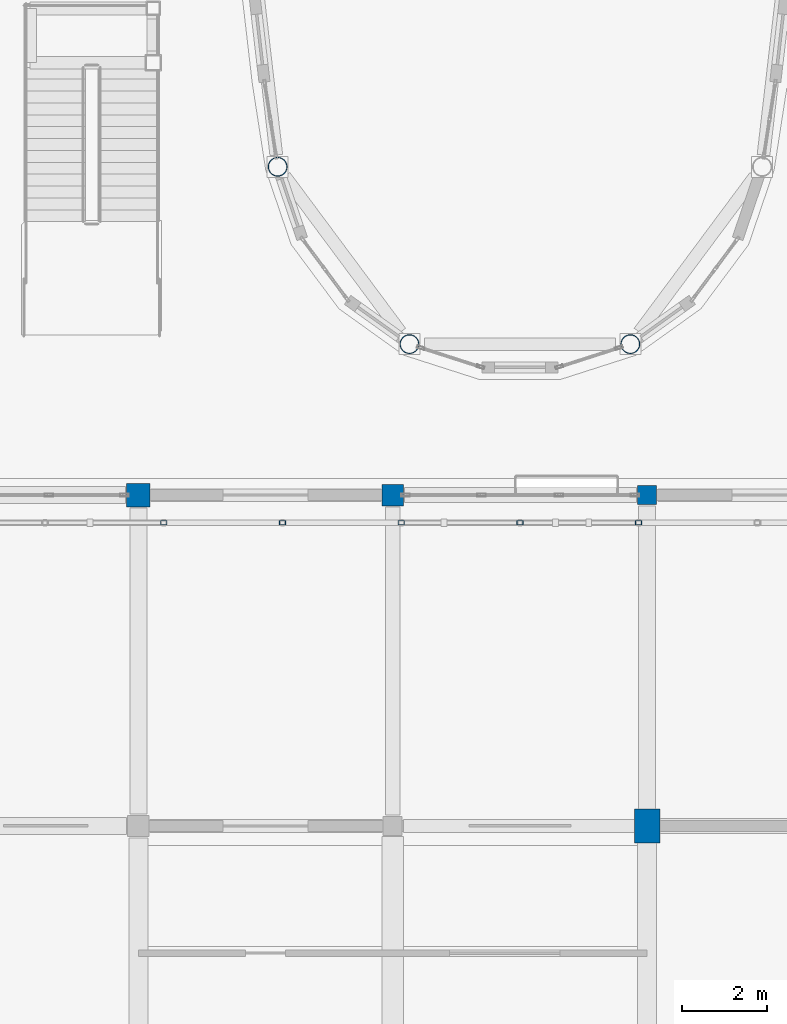
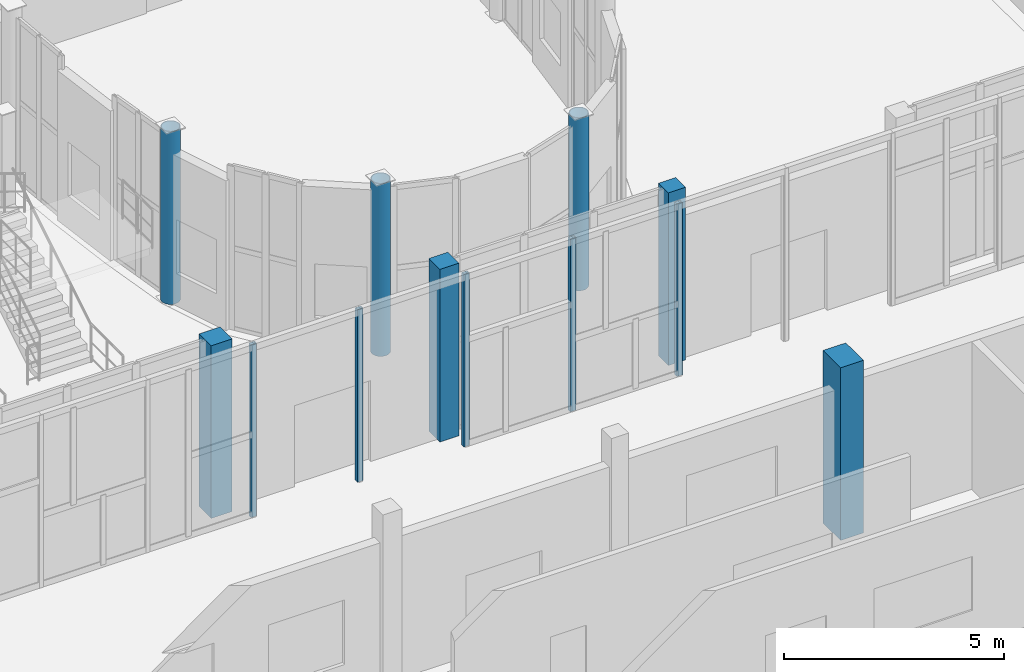
# One storey, part 5 of 91: 12 columns.
"""IFC4 building model written with IfcOpenShell, lengths in metres."""

from ifc_helpers import new_model, si_unit, direction, frame, origin, origin_2d, place, context, subcontext, project, spatial, rectangle, hollow_rectangle, hollow_circle, extrude, material, material_profile, profile_set, type_object, element, save


model = new_model("IFC4")

# Units and contexts
model_context = context("Model", 3, precision=1e-05, world=origin(), true_north=direction((0.0, 1.0)))
body_context = subcontext(model_context, "Body", "Model", "MODEL_VIEW")
ifc_project = project(units=[si_unit("LENGTHUNIT", "METRE"), si_unit("AREAUNIT", "SQUARE_METRE"), si_unit("VOLUMEUNIT", "CUBIC_METRE"), si_unit("PLANEANGLEUNIT", "RADIAN"), si_unit("MASSUNIT", "GRAM", prefix="KILO")], contexts=[model_context])

# Site, building, storey
site_placement = place(None, origin())
site = spatial("IfcSite", under=ifc_project, at=site_placement, CompositionType="ELEMENT")
building_placement = place(site_placement, origin())
building = spatial("IfcBuilding", under=site, at=building_placement, Name="Vinh Khe Railworks Police Headquarters", CompositionType="ELEMENT")
storey_placement = place(building_placement, origin())
storey = spatial("IfcBuildingStorey", under=building, at=storey_placement, Name="L00", CompositionType="ELEMENT", Elevation=0.0)

# Columns
ifc_material_1 = material(Name="Steel S355JR", Category="steel")
ifc_material_profile_1 = material_profile(ifc_material_1, hollow_rectangle(XDim=0.14990234375, YDim=0.10009765625, WallThickness=0.008056640625, at=origin_2d()), Name="RHS 150x100x8")
ifc_profile_set_1 = profile_set([ifc_material_profile_1], Name="Steel S355JR")
column_type_1 = type_object("IfcColumnType", Name="COL-QUILT-POST", PredefinedType="COLUMN", material=ifc_profile_set_1)
for number, where, z_axis, x_axis, name in (
    (1, (34.800048828125, 24.550048828125, 0.0), (0.0, 0.0, 1.0), (1.0, 0.0, 0.0), "Patchwork Quilt Carrier Column S-4 (L00)"),
    (2, (37.60009765625, 24.550048828125, 0.0), (0.0, 0.0, 1.0), (1.0, 0.0, 0.0), "Patchwork Quilt Carrier Column S-5 (L00)"),
    (3, (40.39990234375, 24.550048828125, 0.0), (0.0, 0.0, 1.0), (1.0, 0.0, 0.0), "Patchwork Quilt Carrier Column S-6 (L00)"),
    (4, (43.199951171875, 24.550048828125, 0.0), (0.0, 0.0, 1.0), (1.0, 0.0, 0.0), "Patchwork Quilt Carrier Column S-7 (L00)"),
    (5, (46.0, 24.550048828125, 0.0), (0.0, 0.0, 1.0), (1.0, 0.0, 0.0), "Patchwork Quilt Carrier Column S-8 (L00)"),
):
    element("IfcColumn", number, at=place(storey_placement, frame(where, z_axis=z_axis, x_axis=x_axis)), inside=storey, type_object=column_type_1, Name=name, PredefinedType="COLUMN", context=body_context, shape_type="SweptSolid", body=[
        extrude(hollow_rectangle(XDim=0.14990234375, YDim=0.10009765625, WallThickness=0.008056640625, at=origin_2d()), origin(), (0.0, 0.0, 1.0), 4.800048828125),
    ])
ifc_material_2 = material(Name="Concrete C40/50 (B40)", Category="concrete")
ifc_material_profile_2 = material_profile(ifc_material_2, rectangle(XDim=0.449951171875, YDim=0.449951171875, at=origin_2d()), Name="RC 450x450")
ifc_profile_set_2 = profile_set([ifc_material_profile_2], Name="Concrete C40/50 (B40)")
column_type_2 = type_object("IfcColumnType", Name="RC Column RC 450x450", PredefinedType="COLUMN", material=ifc_profile_set_2)
column_1_placement = place(storey_placement, frame((46.199951171875, 25.199951171875, 0.0), z_axis=(0.0, 0.0, 1.0), x_axis=(1.0, 0.0, 0.0)))
element("IfcColumn", 6, at=column_1_placement, inside=storey, type_object=column_type_2, Name="Column COL-L00-CC-08-0908", PredefinedType="COLUMN", context=body_context, shape_type="SweptSolid", body=[
    extrude(rectangle(XDim=0.449951171875, YDim=0.449951171875, at=origin_2d()), origin(), (0.0, 0.0, 1.0), 4.800048828125),
])
ifc_material_profile_3 = material_profile(ifc_material_2, rectangle(XDim=0.5, YDim=0.5, at=origin_2d()), Name="RC 500x500")
ifc_profile_set_3 = profile_set([ifc_material_profile_3], Name="Concrete C40/50 (B40)")
column_type_3 = type_object("IfcColumnType", Name="RC Column RC 500x500", PredefinedType="COLUMN", material=ifc_profile_set_3)
column_2_placement = place(storey_placement, frame((40.199951171875, 25.199951171875, 0.0), z_axis=(0.0, 0.0, 1.0), x_axis=(1.0, 0.0, 0.0)))
element("IfcColumn", 7, at=column_2_placement, inside=storey, type_object=column_type_3, Name="Column COL-L00-CC-07-0859", PredefinedType="COLUMN", context=body_context, shape_type="SweptSolid", body=[
    extrude(rectangle(XDim=0.5, YDim=0.5, at=origin_2d()), origin(), (0.0, 0.0, 1.0), 4.800048828125),
])
ifc_material_profile_4 = material_profile(ifc_material_2, rectangle(XDim=0.550048828125, YDim=0.550048828125, at=origin_2d()), Name="RC 550x550")
ifc_profile_set_4 = profile_set([ifc_material_profile_4], Name="Concrete C40/50 (B40)")
column_type_4 = type_object("IfcColumnType", Name="RC Column RC 550x550", PredefinedType="COLUMN", material=ifc_profile_set_4)
column_3_placement = place(storey_placement, frame((34.199951171875, 25.199951171875, 0.0), z_axis=(0.0, 0.0, 1.0), x_axis=(1.0, 0.0, 0.0)))
element("IfcColumn", 8, at=column_3_placement, inside=storey, type_object=column_type_4, Name="Column COL-L00-CC-06-0790", PredefinedType="COLUMN", context=body_context, shape_type="SweptSolid", body=[
    extrude(rectangle(XDim=0.550048828125, YDim=0.550048828125, at=origin_2d()), origin(), (0.0, 0.0, 1.0), 4.800048828125),
])
ifc_material_profile_5 = material_profile(ifc_material_2, rectangle(XDim=0.60009765625, YDim=0.800048828125, at=origin_2d()), Name="RC 600x800")
ifc_profile_set_5 = profile_set([ifc_material_profile_5], Name="Concrete C40/50 (B40)")
column_type_5 = type_object("IfcColumnType", Name="RC Column RC 600x800", PredefinedType="COLUMN", material=ifc_profile_set_5)
column_4_placement = place(storey_placement, frame((46.199951171875, 17.39990234375, 0.0), z_axis=(0.0, 0.0, 1.0), x_axis=(1.0, 0.0, 0.0)))
element("IfcColumn", 9, at=column_4_placement, inside=storey, type_object=column_type_5, Name="Column COL-L00-CC-09-0905", PredefinedType="COLUMN", context=body_context, shape_type="SweptSolid", body=[
    extrude(rectangle(XDim=0.60009765625, YDim=0.800048828125, at=origin_2d()), origin(), (0.0, 0.0, 1.0), 4.800048828125),
])
ifc_material_profile_6 = material_profile(ifc_material_1, hollow_circle(Radius=0.228515625, WallThickness=0.02001953125, at=origin_2d()), Name="CHS 457x20")
ifc_profile_set_6 = profile_set([ifc_material_profile_6], Name="Steel S355JR")
column_type_6 = type_object("IfcColumnType", Name="Steel Column CHS 457x20", PredefinedType="COLUMN", material=ifc_profile_set_6)
for number, where, z_axis, x_axis, name in (
    (10, (37.48681640625, 32.944091796875, 0.0), (0.0, 0.0, 1.0), (-0.946480392435, -0.322761315426, 0.0), "Column COL-L00-SC-25-0840"),
    (11, (40.594970703125, 28.762451171875, 0.0), (0.0, 0.0, 1.0), (-0.30552912238, -0.952182732136, 0.0), "Column COL-L00-SC-25-0879"),
    (12, (45.80517578125, 28.762451171875, 0.0), (0.0, 0.0, 1.0), (0.581981048437, -0.813202348287, 0.0), "Column COL-L00-SC-25-0889"),
):
    element("IfcColumn", number, at=place(storey_placement, frame(where, z_axis=z_axis, x_axis=x_axis)), inside=storey, type_object=column_type_6, Name=name, PredefinedType="COLUMN", context=body_context, shape_type="SweptSolid", body=[
        extrude(hollow_circle(Radius=0.228515625, WallThickness=0.02001953125, at=origin_2d()), origin(), (0.0, 0.0, 1.0), 4.800048828125),
    ])

save(model, "model.ifc")
